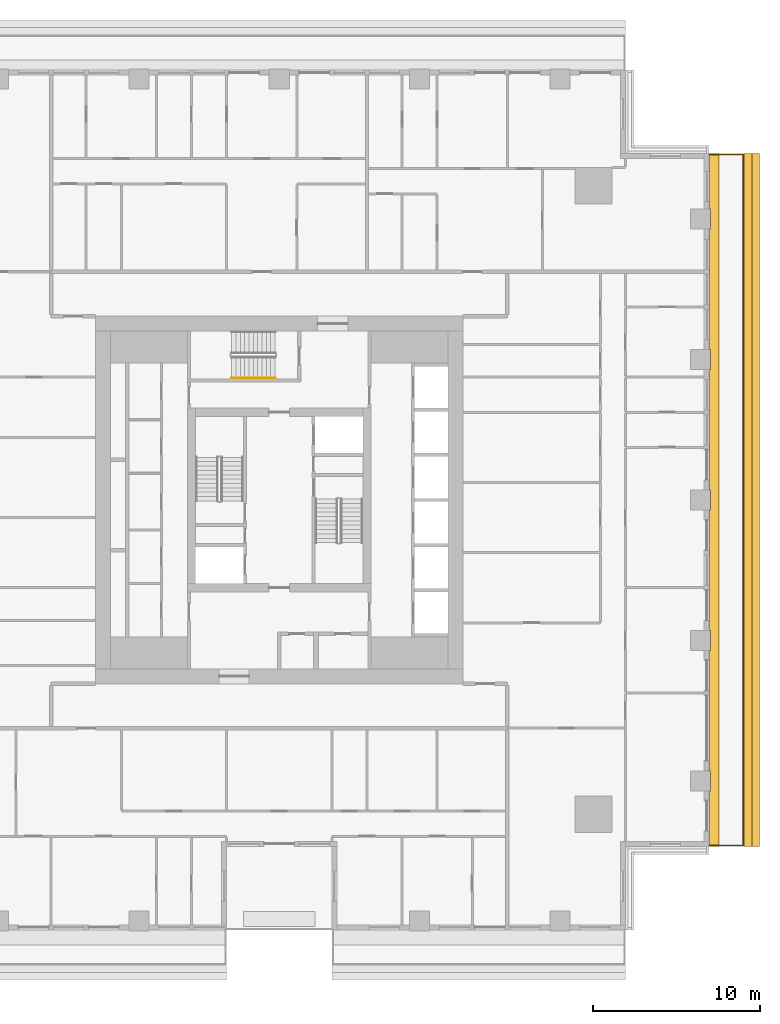
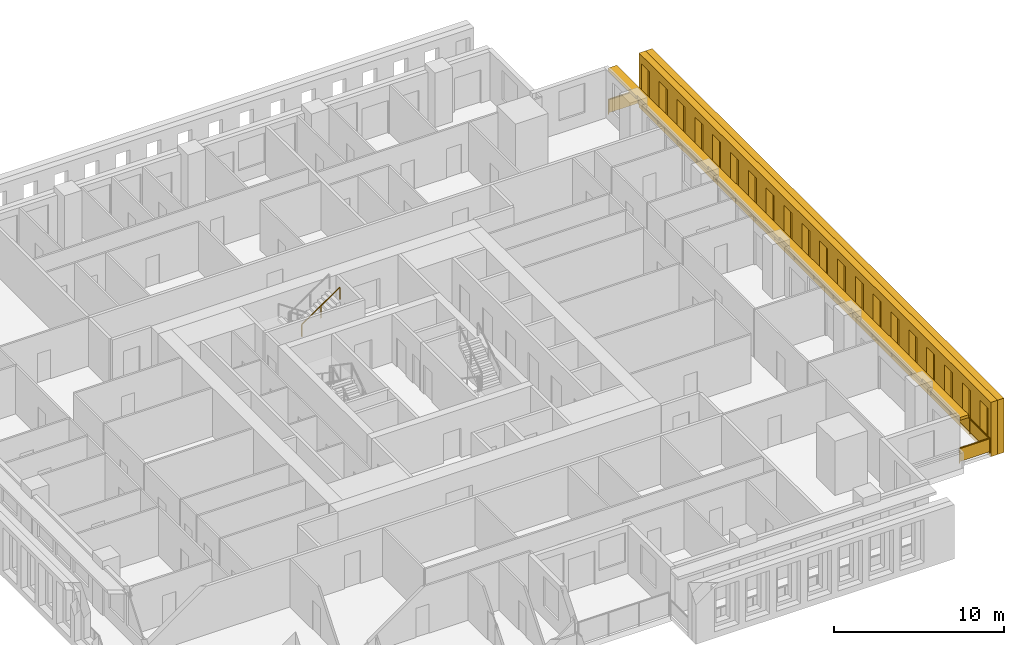
# One storey, part 14 of 16: 3 shading devices, 2 railings.
"""IFC4 building model written with IfcOpenShell, lengths in metres."""

from ifc_helpers import new_model, si_unit, direction, frame, origin, origin_2d, place, context, subcontext, project, spatial, polyline, rectangle, outline, extrude, material, layer, layer_set, type_object, element, save


model = new_model("IFC4")

# Units and contexts
model_context = context("Model", 3, precision=1e-05, world=origin(), true_north=direction((0.0, 1.0)))
body_context = subcontext(model_context, "Body", "Model", "MODEL_VIEW")
ifc_project = project(units=[si_unit("LENGTHUNIT", "METRE"), si_unit("AREAUNIT", "SQUARE_METRE"), si_unit("VOLUMEUNIT", "CUBIC_METRE"), si_unit("PLANEANGLEUNIT", "RADIAN"), si_unit("MASSUNIT", "GRAM", prefix="KILO")], contexts=[model_context])

# Site, building, storey
site_placement = place(None, origin())
site = spatial("IfcSite", under=ifc_project, at=site_placement, CompositionType="ELEMENT")
building_placement = place(site_placement, origin())
building = spatial("IfcBuilding", under=site, at=building_placement, Name="Khepri Terraces", CompositionType="ELEMENT")
storey_placement = place(building_placement, frame((0.0, 0.0, 240.60009765625)))
storey = spatial("IfcBuildingStorey", under=building, at=storey_placement, Name="L57", CompositionType="ELEMENT", Elevation=240.60009765625)

# Railings
ifc_material_1 = material(Name="Stainless steel grade 316", Category="steel")
railing_type_1 = type_object("IfcRailingType", Name="GRD-BAL-1100", PredefinedType="GUARDRAIL", material=ifc_material_1)
railing_1_placement = place(storey_placement, frame((25.719970703125, -20.669921875, 0.0)))
element("IfcRailing", 1, at=railing_1_placement, inside=storey, type_object=railing_type_1, Name="Balcony guard L57 E", PredefinedType="GUARDRAIL", context=body_context, shape_type="SweptSolid", body=[
    extrude(rectangle(XDim=0.050048828125, YDim=0.06005859375, at=origin_2d()), frame((0.0, 0.0, 1.070068359375), z_axis=(1.0, 0.0, 0.0), x_axis=(0.0, 1.0, 0.0)), (0.0, 0.0, 1.0), 2.050048828125),
    extrude(rectangle(XDim=2.0, YDim=0.011962890625, at=origin_2d()), frame((1.02490234375, 0.0, 0.10009765625), z_axis=(0.0, 0.0, 1.0), x_axis=(1.0, 0.0, 0.0)), (0.0, 0.0, 1.0), 0.93994140625),
    extrude(rectangle(XDim=0.050048828125, YDim=0.06005859375, at=origin_2d()), frame((2.050048828125, 0.0, 1.070068359375), z_axis=(0.0, 1.0, 0.0), x_axis=(-1.0, 0.0, 0.0)), (0.0, 0.0, 1.0), 41.33984375),
    extrude(rectangle(XDim=2.24658203125, YDim=0.011962890625, at=origin_2d()), frame((2.050048828125, 1.1484375, 0.10009765625), z_axis=(0.0, 0.0, 1.0), x_axis=(0.0, 1.0, 0.0)), (0.0, 0.0, 1.0), 0.93994140625),
    extrude(rectangle(XDim=2.24658203125, YDim=0.011962890625, at=origin_2d()), frame((2.050048828125, 3.445068359375, 0.10009765625), z_axis=(0.0, 0.0, 1.0), x_axis=(0.0, 1.0, 0.0)), (0.0, 0.0, 1.0), 0.93994140625),
    extrude(rectangle(XDim=2.24658203125, YDim=0.011962890625, at=origin_2d()), frame((2.050048828125, 5.74169921875, 0.10009765625), z_axis=(0.0, 0.0, 1.0), x_axis=(0.0, 1.0, 0.0)), (0.0, 0.0, 1.0), 0.93994140625),
    extrude(rectangle(XDim=2.24658203125, YDim=0.011962890625, at=origin_2d()), frame((2.050048828125, 8.038330078125, 0.10009765625), z_axis=(0.0, 0.0, 1.0), x_axis=(0.0, 1.0, 0.0)), (0.0, 0.0, 1.0), 0.93994140625),
    extrude(rectangle(XDim=2.24658203125, YDim=0.011962890625, at=origin_2d()), frame((2.050048828125, 10.3349609375, 0.10009765625), z_axis=(0.0, 0.0, 1.0), x_axis=(0.0, 1.0, 0.0)), (0.0, 0.0, 1.0), 0.93994140625),
    extrude(rectangle(XDim=2.24658203125, YDim=0.011962890625, at=origin_2d()), frame((2.050048828125, 12.631591796875, 0.10009765625), z_axis=(0.0, 0.0, 1.0), x_axis=(0.0, 1.0, 0.0)), (0.0, 0.0, 1.0), 0.93994140625),
    extrude(rectangle(XDim=2.24658203125, YDim=0.011962890625, at=origin_2d()), frame((2.050048828125, 14.92822265625, 0.10009765625), z_axis=(0.0, 0.0, 1.0), x_axis=(0.0, 1.0, 0.0)), (0.0, 0.0, 1.0), 0.93994140625),
    extrude(rectangle(XDim=2.24658203125, YDim=0.011962890625, at=origin_2d()), frame((2.050048828125, 17.224853515625, 0.10009765625), z_axis=(0.0, 0.0, 1.0), x_axis=(0.0, 1.0, 0.0)), (0.0, 0.0, 1.0), 0.93994140625),
    extrude(rectangle(XDim=2.24658203125, YDim=0.011962890625, at=origin_2d()), frame((2.050048828125, 19.521484375, 0.10009765625), z_axis=(0.0, 0.0, 1.0), x_axis=(0.0, 1.0, 0.0)), (0.0, 0.0, 1.0), 0.93994140625),
    extrude(rectangle(XDim=2.24658203125, YDim=0.011962890625, at=origin_2d()), frame((2.050048828125, 21.818359375, 0.10009765625), z_axis=(0.0, 0.0, 1.0), x_axis=(0.0, 1.0, 0.0)), (0.0, 0.0, 1.0), 0.93994140625),
    extrude(rectangle(XDim=2.24658203125, YDim=0.011962890625, at=origin_2d()), frame((2.050048828125, 24.114990234375, 0.10009765625), z_axis=(0.0, 0.0, 1.0), x_axis=(0.0, 1.0, 0.0)), (0.0, 0.0, 1.0), 0.93994140625),
    extrude(rectangle(XDim=2.24658203125, YDim=0.011962890625, at=origin_2d()), frame((2.050048828125, 26.41162109375, 0.10009765625), z_axis=(0.0, 0.0, 1.0), x_axis=(0.0, 1.0, 0.0)), (0.0, 0.0, 1.0), 0.93994140625),
    extrude(rectangle(XDim=2.24658203125, YDim=0.011962890625, at=origin_2d()), frame((2.050048828125, 28.708251953125, 0.10009765625), z_axis=(0.0, 0.0, 1.0), x_axis=(0.0, 1.0, 0.0)), (0.0, 0.0, 1.0), 0.93994140625),
    extrude(rectangle(XDim=2.24658203125, YDim=0.011962890625, at=origin_2d()), frame((2.050048828125, 31.0048828125, 0.10009765625), z_axis=(0.0, 0.0, 1.0), x_axis=(0.0, 1.0, 0.0)), (0.0, 0.0, 1.0), 0.93994140625),
    extrude(rectangle(XDim=2.24658203125, YDim=0.011962890625, at=origin_2d()), frame((2.050048828125, 33.301513671875, 0.10009765625), z_axis=(0.0, 0.0, 1.0), x_axis=(0.0, 1.0, 0.0)), (0.0, 0.0, 1.0), 0.93994140625),
    extrude(rectangle(XDim=2.24658203125, YDim=0.011962890625, at=origin_2d()), frame((2.050048828125, 35.59814453125, 0.10009765625), z_axis=(0.0, 0.0, 1.0), x_axis=(0.0, 1.0, 0.0)), (0.0, 0.0, 1.0), 0.93994140625),
    extrude(rectangle(XDim=2.24658203125, YDim=0.011962890625, at=origin_2d()), frame((2.050048828125, 37.894775390625, 0.10009765625), z_axis=(0.0, 0.0, 1.0), x_axis=(0.0, 1.0, 0.0)), (0.0, 0.0, 1.0), 0.93994140625),
    extrude(rectangle(XDim=2.24658203125, YDim=0.011962890625, at=origin_2d()), frame((2.050048828125, 40.19140625, 0.10009765625), z_axis=(0.0, 0.0, 1.0), x_axis=(0.0, 1.0, 0.0)), (0.0, 0.0, 1.0), 0.93994140625),
    extrude(rectangle(XDim=0.050048828125, YDim=0.06005859375, at=origin_2d()), frame((2.050048828125, 41.33984375, 1.070068359375), z_axis=(-1.0, 0.0, 0.0), x_axis=(0.0, -1.0, 0.0)), (0.0, 0.0, 1.0), 2.050048828125),
    extrude(rectangle(XDim=2.0, YDim=0.011962890625, at=origin_2d()), frame((1.02490234375, 41.33984375, 0.10009765625), z_axis=(0.0, 0.0, 1.0), x_axis=(-1.0, 0.0, 0.0)), (0.0, 0.0, 1.0), 0.93994140625),
    extrude(rectangle(XDim=0.050048828125, YDim=0.050048828125, at=origin_2d()), origin(), (0.0, 0.0, 1.0), 1.0400390625),
    extrude(rectangle(XDim=0.050048828125, YDim=0.050048828125, at=origin_2d()), frame((2.050048828125, 0.0, 0.0)), (0.0, 0.0, 1.0), 1.0400390625),
    extrude(rectangle(XDim=0.050048828125, YDim=0.050048828125, at=origin_2d()), frame((2.050048828125, 2.296630859375, 0.0)), (0.0, 0.0, 1.0), 1.0400390625),
    extrude(rectangle(XDim=0.050048828125, YDim=0.050048828125, at=origin_2d()), frame((2.050048828125, 4.59326171875, 0.0)), (0.0, 0.0, 1.0), 1.0400390625),
    extrude(rectangle(XDim=0.050048828125, YDim=0.050048828125, at=origin_2d()), frame((2.050048828125, 6.889892578125, 0.0)), (0.0, 0.0, 1.0), 1.0400390625),
    extrude(rectangle(XDim=0.050048828125, YDim=0.050048828125, at=origin_2d()), frame((2.050048828125, 9.1865234375, 0.0)), (0.0, 0.0, 1.0), 1.0400390625),
    extrude(rectangle(XDim=0.050048828125, YDim=0.050048828125, at=origin_2d()), frame((2.050048828125, 11.4833984375, 0.0)), (0.0, 0.0, 1.0), 1.0400390625),
    extrude(rectangle(XDim=0.050048828125, YDim=0.050048828125, at=origin_2d()), frame((2.050048828125, 13.780029296875, 0.0)), (0.0, 0.0, 1.0), 1.0400390625),
    extrude(rectangle(XDim=0.050048828125, YDim=0.050048828125, at=origin_2d()), frame((2.050048828125, 16.07666015625, 0.0)), (0.0, 0.0, 1.0), 1.0400390625),
    extrude(rectangle(XDim=0.050048828125, YDim=0.050048828125, at=origin_2d()), frame((2.050048828125, 18.373291015625, 0.0)), (0.0, 0.0, 1.0), 1.0400390625),
    extrude(rectangle(XDim=0.050048828125, YDim=0.050048828125, at=origin_2d()), frame((2.050048828125, 20.669921875, 0.0)), (0.0, 0.0, 1.0), 1.0400390625),
    extrude(rectangle(XDim=0.050048828125, YDim=0.050048828125, at=origin_2d()), frame((2.050048828125, 22.966552734375, 0.0)), (0.0, 0.0, 1.0), 1.0400390625),
    extrude(rectangle(XDim=0.050048828125, YDim=0.050048828125, at=origin_2d()), frame((2.050048828125, 25.26318359375, 0.0)), (0.0, 0.0, 1.0), 1.0400390625),
    extrude(rectangle(XDim=0.050048828125, YDim=0.050048828125, at=origin_2d()), frame((2.050048828125, 27.559814453125, 0.0)), (0.0, 0.0, 1.0), 1.0400390625),
    extrude(rectangle(XDim=0.050048828125, YDim=0.050048828125, at=origin_2d()), frame((2.050048828125, 29.8564453125, 0.0)), (0.0, 0.0, 1.0), 1.0400390625),
    extrude(rectangle(XDim=0.050048828125, YDim=0.050048828125, at=origin_2d()), frame((2.050048828125, 32.1533203125, 0.0)), (0.0, 0.0, 1.0), 1.0400390625),
    extrude(rectangle(XDim=0.050048828125, YDim=0.050048828125, at=origin_2d()), frame((2.050048828125, 34.449951171875, 0.0)), (0.0, 0.0, 1.0), 1.0400390625),
    extrude(rectangle(XDim=0.050048828125, YDim=0.050048828125, at=origin_2d()), frame((2.050048828125, 36.74658203125, 0.0)), (0.0, 0.0, 1.0), 1.0400390625),
    extrude(rectangle(XDim=0.050048828125, YDim=0.050048828125, at=origin_2d()), frame((2.050048828125, 39.043212890625, 0.0)), (0.0, 0.0, 1.0), 1.0400390625),
    extrude(rectangle(XDim=0.050048828125, YDim=0.050048828125, at=origin_2d()), frame((2.050048828125, 41.33984375, 0.0)), (0.0, 0.0, 1.0), 1.0400390625),
    extrude(rectangle(XDim=0.050048828125, YDim=0.050048828125, at=origin_2d()), frame((0.0, 41.33984375, 0.0)), (0.0, 0.0, 1.0), 1.0400390625),
])
ifc_material_2 = material(Name="Stainless steel 316", Category="steel")
railing_type_2 = type_object("IfcRailingType", Name="RL-CORE-HANDRAIL", PredefinedType="HANDRAIL", material=ifc_material_2)
railing_2_placement = place(storey_placement, frame((-2.85009765625, 7.300048828125, 2.127197265625)))
element("IfcRailing", 2, at=railing_2_placement, inside=storey, type_object=railing_type_2, Name="L57 ST-3 stair handrail 2", PredefinedType="HANDRAIL", context=body_context, shape_type="SweptSolid", body=[
    extrude(rectangle(XDim=0.050048828125, YDim=0.050048828125, at=origin_2d()), frame((0.0, 0.0, 0.875), z_axis=(0.826240473404, 0.0, 0.563317565952), x_axis=(0.0, 1.0, 0.0)), (0.0, 0.0, 1.0), 3.14697265625),
    extrude(rectangle(XDim=0.050048828125, YDim=0.050048828125, at=origin_2d()), origin(), (0.0, 0.0, 1.0), 0.849853515625),
    extrude(rectangle(XDim=0.050048828125, YDim=0.050048828125, at=origin_2d()), frame((1.300048828125, 0.0, 0.88623046875)), (0.0, 0.0, 1.0), 0.849853515625),
    extrude(rectangle(XDim=0.050048828125, YDim=0.050048828125, at=origin_2d()), frame((2.60009765625, 0.0, 1.772705078125)), (0.0, 0.0, 1.0), 0.849853515625),
])

# Shading devices
ifc_material_3 = material(Name="Precast concrete C50/60 warm stone", Category="masonry")
shading_device_type_1 = type_object("IfcShadingDeviceType", Name="SCR-CELL-INNER-450", PredefinedType="USERDEFINED", material=ifc_material_3)
shading_device_1_placement = place(storey_placement, frame((27.820068359375, -20.719970703125, -0.25), z_axis=(1.0, 0.0, 0.0), x_axis=(0.0, 1.0, 0.0)))
element("IfcShadingDevice", 3, at=shading_device_1_placement, inside=storey, type_object=shading_device_type_1, Name="Cell screen L57 E in", ObjectType="SCREEN", PredefinedType="USERDEFINED", context=body_context, shape_type="SweptSolid", body=[
    extrude(outline(polyline([(0.0, 0.0), (41.43994140625, 0.0), (41.43994140625, 3.89990234375), (0.0, 3.89990234375), (0.0, 0.0)]), holes=[polyline([(0.297607421875, 0.699951171875), (1.242431640625, 0.699951171875), (1.242431640625, 3.300048828125), (0.297607421875, 3.300048828125), (0.297607421875, 0.699951171875)]), polyline([(2.3974609375, 0.699951171875), (3.342529296875, 0.699951171875), (3.342529296875, 3.300048828125), (2.3974609375, 3.300048828125), (2.3974609375, 0.699951171875)]), polyline([(4.49755859375, 0.699951171875), (5.4423828125, 0.699951171875), (5.4423828125, 3.300048828125), (4.49755859375, 3.300048828125), (4.49755859375, 0.699951171875)]), polyline([(6.597412109375, 0.699951171875), (7.54248046875, 0.699951171875), (7.54248046875, 3.300048828125), (6.597412109375, 3.300048828125), (6.597412109375, 0.699951171875)]), polyline([(8.697509765625, 0.699951171875), (9.642578125, 0.699951171875), (9.642578125, 3.300048828125), (8.697509765625, 3.300048828125), (8.697509765625, 0.699951171875)]), polyline([(10.797607421875, 0.699951171875), (11.742431640625, 0.699951171875), (11.742431640625, 3.300048828125), (10.797607421875, 3.300048828125), (10.797607421875, 0.699951171875)]), polyline([(12.8974609375, 0.699951171875), (13.842529296875, 0.699951171875), (13.842529296875, 3.300048828125), (12.8974609375, 3.300048828125), (12.8974609375, 0.699951171875)]), polyline([(14.99755859375, 0.699951171875), (15.9423828125, 0.699951171875), (15.9423828125, 3.300048828125), (14.99755859375, 3.300048828125), (14.99755859375, 0.699951171875)]), polyline([(17.097412109375, 0.699951171875), (18.04248046875, 0.699951171875), (18.04248046875, 3.300048828125), (17.097412109375, 3.300048828125), (17.097412109375, 0.699951171875)]), polyline([(19.197509765625, 0.699951171875), (20.142578125, 0.699951171875), (20.142578125, 3.300048828125), (19.197509765625, 3.300048828125), (19.197509765625, 0.699951171875)]), polyline([(21.297607421875, 0.699951171875), (22.242431640625, 0.699951171875), (22.242431640625, 3.300048828125), (21.297607421875, 3.300048828125), (21.297607421875, 0.699951171875)]), polyline([(23.3974609375, 0.699951171875), (24.342529296875, 0.699951171875), (24.342529296875, 3.300048828125), (23.3974609375, 3.300048828125), (23.3974609375, 0.699951171875)]), polyline([(25.49755859375, 0.699951171875), (26.4423828125, 0.699951171875), (26.4423828125, 3.300048828125), (25.49755859375, 3.300048828125), (25.49755859375, 0.699951171875)]), polyline([(27.597412109375, 0.699951171875), (28.54248046875, 0.699951171875), (28.54248046875, 3.300048828125), (27.597412109375, 3.300048828125), (27.597412109375, 0.699951171875)]), polyline([(29.697509765625, 0.699951171875), (30.642578125, 0.699951171875), (30.642578125, 3.300048828125), (29.697509765625, 3.300048828125), (29.697509765625, 0.699951171875)]), polyline([(31.797607421875, 0.699951171875), (32.742431640625, 0.699951171875), (32.742431640625, 3.300048828125), (31.797607421875, 3.300048828125), (31.797607421875, 0.699951171875)]), polyline([(33.8974609375, 0.699951171875), (34.842529296875, 0.699951171875), (34.842529296875, 3.300048828125), (33.8974609375, 3.300048828125), (33.8974609375, 0.699951171875)]), polyline([(35.99755859375, 0.699951171875), (36.9423828125, 0.699951171875), (36.9423828125, 3.300048828125), (35.99755859375, 3.300048828125), (35.99755859375, 0.699951171875)]), polyline([(38.097412109375, 0.699951171875), (39.04248046875, 0.699951171875), (39.04248046875, 3.300048828125), (38.097412109375, 3.300048828125), (38.097412109375, 0.699951171875)]), polyline([(40.197509765625, 0.699951171875), (41.142578125, 0.699951171875), (41.142578125, 3.300048828125), (40.197509765625, 3.300048828125), (40.197509765625, 0.699951171875)])]), origin(), (0.0, 0.0, 1.0), 0.449951171875),
])
shading_device_type_2 = type_object("IfcShadingDeviceType", Name="SCR-CELL-OUTER-450", PredefinedType="USERDEFINED", material=ifc_material_3)
shading_device_2_placement = place(storey_placement, frame((28.27001953125, -20.719970703125, -0.25), z_axis=(1.0, 0.0, 0.0), x_axis=(0.0, 1.0, 0.0)))
element("IfcShadingDevice", 4, at=shading_device_2_placement, inside=storey, type_object=shading_device_type_2, Name="Cell screen L57 E out", ObjectType="SCREEN", PredefinedType="USERDEFINED", context=body_context, shape_type="SweptSolid", body=[
    extrude(outline(polyline([(0.0, 0.0), (41.43994140625, 0.0), (41.43994140625, 3.89990234375), (0.0, 3.89990234375), (0.0, 0.0)]), holes=[polyline([(2.047607421875, 0.449951171875), (3.6923828125, 0.449951171875), (3.6923828125, 3.550048828125), (2.047607421875, 3.550048828125), (2.047607421875, 0.449951171875)]), polyline([(4.1474609375, 0.449951171875), (5.79248046875, 0.449951171875), (5.79248046875, 3.550048828125), (4.1474609375, 3.550048828125), (4.1474609375, 0.449951171875)]), polyline([(6.24755859375, 0.449951171875), (7.892578125, 0.449951171875), (7.892578125, 3.550048828125), (6.24755859375, 3.550048828125), (6.24755859375, 0.449951171875)]), polyline([(8.347412109375, 0.449951171875), (9.992431640625, 0.449951171875), (9.992431640625, 3.550048828125), (8.347412109375, 3.550048828125), (8.347412109375, 0.449951171875)]), polyline([(10.447509765625, 0.449951171875), (12.092529296875, 0.449951171875), (12.092529296875, 3.550048828125), (10.447509765625, 3.550048828125), (10.447509765625, 0.449951171875)]), polyline([(12.547607421875, 0.449951171875), (14.1923828125, 0.449951171875), (14.1923828125, 3.550048828125), (12.547607421875, 3.550048828125), (12.547607421875, 0.449951171875)]), polyline([(14.6474609375, 0.449951171875), (16.29248046875, 0.449951171875), (16.29248046875, 3.550048828125), (14.6474609375, 3.550048828125), (14.6474609375, 0.449951171875)]), polyline([(16.74755859375, 0.449951171875), (18.392578125, 0.449951171875), (18.392578125, 3.550048828125), (16.74755859375, 3.550048828125), (16.74755859375, 0.449951171875)]), polyline([(18.847412109375, 0.449951171875), (20.492431640625, 0.449951171875), (20.492431640625, 3.550048828125), (18.847412109375, 3.550048828125), (18.847412109375, 0.449951171875)]), polyline([(20.947509765625, 0.449951171875), (22.592529296875, 0.449951171875), (22.592529296875, 3.550048828125), (20.947509765625, 3.550048828125), (20.947509765625, 0.449951171875)]), polyline([(23.047607421875, 0.449951171875), (24.6923828125, 0.449951171875), (24.6923828125, 3.550048828125), (23.047607421875, 3.550048828125), (23.047607421875, 0.449951171875)]), polyline([(25.1474609375, 0.449951171875), (26.79248046875, 0.449951171875), (26.79248046875, 3.550048828125), (25.1474609375, 3.550048828125), (25.1474609375, 0.449951171875)]), polyline([(27.24755859375, 0.449951171875), (28.892578125, 0.449951171875), (28.892578125, 3.550048828125), (27.24755859375, 3.550048828125), (27.24755859375, 0.449951171875)]), polyline([(29.347412109375, 0.449951171875), (30.992431640625, 0.449951171875), (30.992431640625, 3.550048828125), (29.347412109375, 3.550048828125), (29.347412109375, 0.449951171875)]), polyline([(31.447509765625, 0.449951171875), (33.092529296875, 0.449951171875), (33.092529296875, 3.550048828125), (31.447509765625, 3.550048828125), (31.447509765625, 0.449951171875)]), polyline([(33.547607421875, 0.449951171875), (35.1923828125, 0.449951171875), (35.1923828125, 3.550048828125), (33.547607421875, 3.550048828125), (33.547607421875, 0.449951171875)]), polyline([(35.6474609375, 0.449951171875), (37.29248046875, 0.449951171875), (37.29248046875, 3.550048828125), (35.6474609375, 3.550048828125), (35.6474609375, 0.449951171875)]), polyline([(37.74755859375, 0.449951171875), (39.392578125, 0.449951171875), (39.392578125, 3.550048828125), (37.74755859375, 3.550048828125), (37.74755859375, 0.449951171875)])]), origin(), (0.0, 0.0, 1.0), 0.449951171875),
])
ifc_layer = layer(ifc_material_3, 0.199951171875, Name="Precast concrete C50/60 warm stone", Category="masonry")
ifc_layer_set = layer_set([ifc_layer], Name="Precast concrete C50/60 warm stone")
shading_device_type_3 = type_object("IfcShadingDeviceType", Name="SSH-BAND-STONE-200-N", PredefinedType="USERDEFINED", material=ifc_layer_set)
shading_device_3_placement = place(storey_placement, frame((0.0, 0.0, 3.099853515625)))
element("IfcShadingDevice", 5, at=shading_device_3_placement, inside=storey, type_object=shading_device_type_3, Name="Sunshade band L57 E", ObjectType="SUNSHADE", PredefinedType="USERDEFINED", context=body_context, shape_type="SweptSolid", body=[
    extrude(outline(polyline([(25.719970703125, -17.39990234375), (25.719970703125, -20.719970703125), (26.320068359375, -20.719970703125), (26.320068359375, 20.719970703125), (25.719970703125, 20.719970703125), (25.719970703125, 17.39990234375), (25.800048828125, 17.39990234375), (25.800048828125, 16.199951171875), (25.719970703125, 16.199951171875), (25.719970703125, 9.0), (25.800048828125, 9.0), (25.800048828125, 7.800048828125), (25.719970703125, 7.800048828125), (25.719970703125, 0.60009765625), (25.800048828125, 0.60009765625), (25.800048828125, -0.60009765625), (25.719970703125, -0.60009765625), (25.719970703125, -7.800048828125), (25.800048828125, -7.800048828125), (25.800048828125, -9.0), (25.719970703125, -9.0), (25.719970703125, -16.199951171875), (25.800048828125, -16.199951171875), (25.800048828125, -17.39990234375), (25.719970703125, -17.39990234375)])), origin(), (0.0, 0.0, 1.0), 0.199951171875),
])

save(model, "model.ifc")
